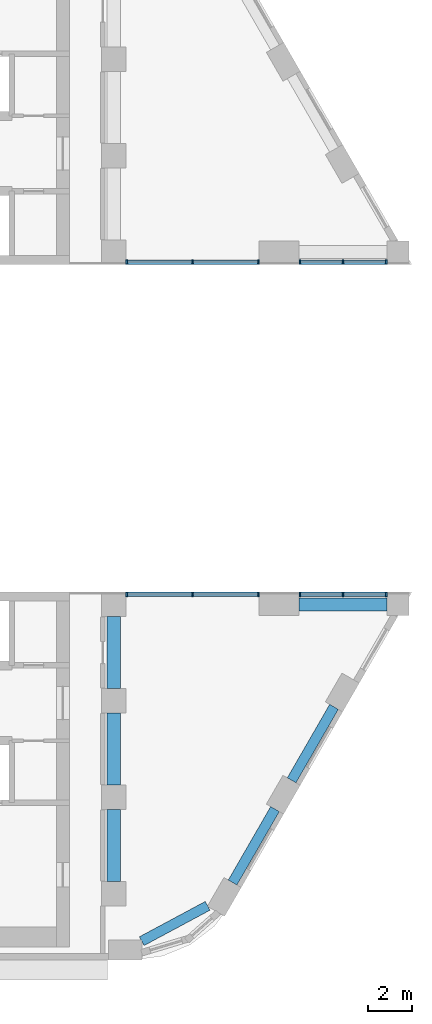
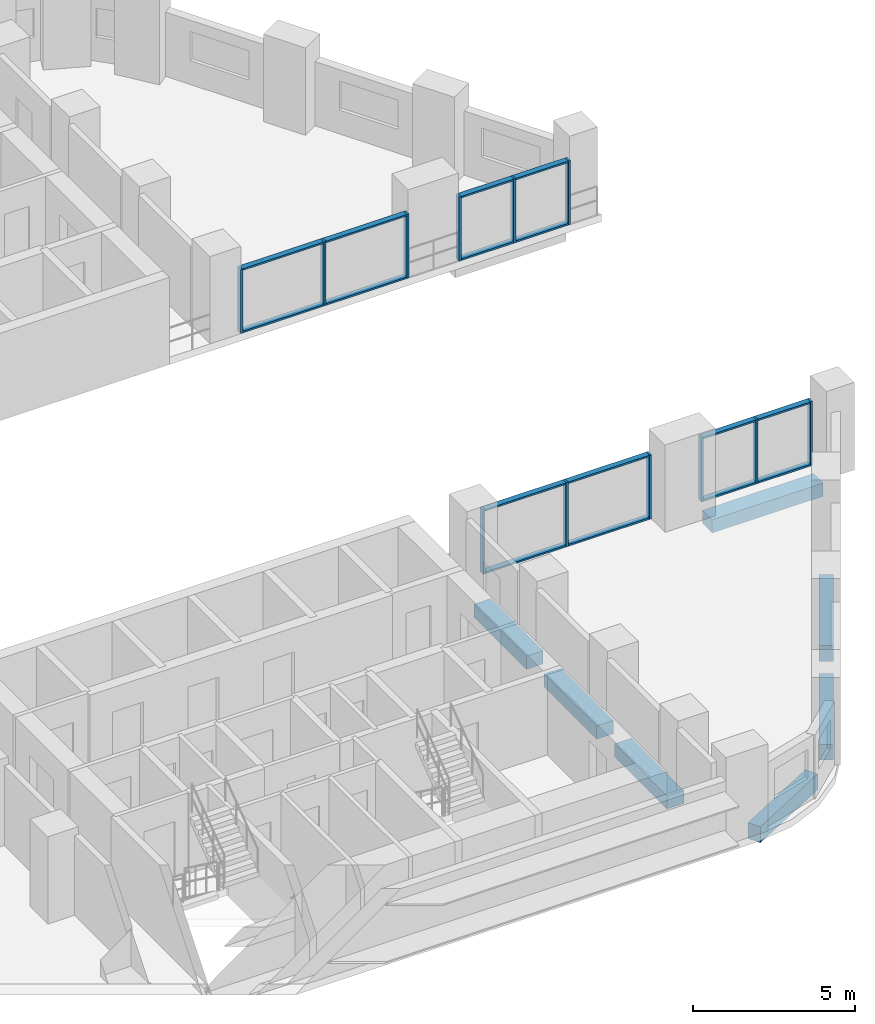
# One storey, part 3 of 11: 28 members, 7 beams, 4 elements without a shape of their own.
"""IFC4 building model written with IfcOpenShell, lengths in metres."""

from ifc_helpers import new_model, si_unit, direction, frame, origin, origin_2d, place, context, subcontext, project, spatial, rectangle, extrude, material, layer, layer_set, material_profile, profile_set, type_object, element, aggregate, save


model = new_model("IFC4")

# Units and contexts
model_context = context("Model", 3, precision=1e-05, world=origin(), true_north=direction((0.0, 1.0)))
body_context = subcontext(model_context, "Body", "Model", "MODEL_VIEW")
ifc_project = project(units=[si_unit("LENGTHUNIT", "METRE"), si_unit("AREAUNIT", "SQUARE_METRE"), si_unit("VOLUMEUNIT", "CUBIC_METRE"), si_unit("PLANEANGLEUNIT", "RADIAN"), si_unit("MASSUNIT", "GRAM", prefix="KILO")], contexts=[model_context])

# Site, building, storey
site_placement = place(None, origin())
site = spatial("IfcSite", under=ifc_project, at=site_placement, CompositionType="ELEMENT")
building_placement = place(site_placement, origin())
building = spatial("IfcBuilding", under=site, at=building_placement, Name="Nakaniwa Court", CompositionType="ELEMENT")
storey_placement = place(building_placement, frame((0.0, 0.0, 31.5)))
storey = spatial("IfcBuildingStorey", under=building, at=storey_placement, Name="L07", CompositionType="ELEMENT", Elevation=31.5)

# Beams
ifc_material_1 = material(Name="Concrete C100/115", Category="concrete")
ifc_material_profile_1 = material_profile(ifc_material_1, rectangle(XDim=0.449951171875, YDim=0.60009765625, at=origin_2d()), Name="Concrete C100/115 RC 450x600 spandrel beam")
ifc_profile_set_1 = profile_set([ifc_material_profile_1], Name="Concrete C100/115")
beam_type_1 = type_object("IfcBeamType", Name="Concrete C100/115 RC 450x600 spandrel beam", PredefinedType="BEAM", material=ifc_profile_set_1)
beam_1_placement = place(storey_placement, frame((91.257080078125, 56.852294921875, -0.574951171875), z_axis=(0.881234537383, 0.472679267711, 0.0), x_axis=(-0.472679267711, 0.881234537383, 0.0)))
element("IfcBeam", 1, at=beam_1_placement, inside=storey, type_object=beam_type_1, Name="SPANDREL BEAM", PredefinedType="BEAM", context=body_context, shape_type="SweptSolid", body=[
    extrude(rectangle(XDim=0.449951171875, YDim=0.60009765625, at=origin_2d()), origin(), (0.0, 0.0, 1.0), 3.373291015625),
])
beam_2_placement = place(storey_placement, frame((95.357421875, 59.5, -0.574951171875), z_axis=(0.500009674092, 0.866019818373, 0.0), x_axis=(-0.866019818373, 0.500009674092, 0.0)))
element("IfcBeam", 2, at=beam_2_placement, inside=storey, type_object=beam_type_1, Name="SPANDREL BEAM", PredefinedType="BEAM", context=body_context, shape_type="SweptSolid", body=[
    extrude(rectangle(XDim=0.449951171875, YDim=0.60009765625, at=origin_2d()), origin(), (0.0, 0.0, 1.0), 3.826171875),
])
beam_3_placement = place(storey_placement, frame((98.0205078125, 64.1123046875, -0.574951171875), z_axis=(0.499961815444, 0.866047448526, 0.0), x_axis=(-0.866047448526, 0.499961815444, 0.0)))
element("IfcBeam", 3, at=beam_3_placement, inside=storey, type_object=beam_type_1, Name="SPANDREL BEAM", PredefinedType="BEAM", context=body_context, shape_type="SweptSolid", body=[
    extrude(rectangle(XDim=0.449951171875, YDim=0.60009765625, at=origin_2d()), origin(), (0.0, 0.0, 1.0), 3.825927734375),
])
ifc_material_profile_2 = material_profile(ifc_material_1, rectangle(XDim=0.60009765625, YDim=0.5, at=origin_2d()), Name="Concrete C100/115 RC 600x500 ring beam")
ifc_profile_set_2 = profile_set([ifc_material_profile_2], Name="Concrete C100/115")
beam_type_2 = type_object("IfcBeamType", Name="Concrete C100/115 RC 600x500 ring beam", PredefinedType="BEAM", material=ifc_profile_set_2)
for number, where, z_axis, x_axis, name in (
    (4, (90.0, 59.550048828125, -0.52490234375), (0.0, 1.0, 0.0), (-1.0, 0.0, 0.0), "RING BEAM"),
    (5, (90.0, 63.89990234375, -0.52490234375), (0.0, 1.0, 0.0), (-1.0, 0.0, 0.0), "RING BEAM"),
    (6, (90.0, 68.25, -0.52490234375), (0.0, 1.0, 0.0), (-1.0, 0.0, 0.0), "RING BEAM"),
):
    element("IfcBeam", number, at=place(storey_placement, frame(where, z_axis=z_axis, x_axis=x_axis)), inside=storey, type_object=beam_type_2, Name=name, PredefinedType="BEAM", context=body_context, shape_type="SweptSolid", body=[
        extrude(rectangle(XDim=0.60009765625, YDim=0.5, at=origin_2d()), origin(), (0.0, 0.0, 1.0), 3.25),
    ])
beam_4_placement = place(storey_placement, frame((98.35791015625, 72.050048828125, -0.52490234375), z_axis=(1.0, 0.0, 0.0), x_axis=(0.0, 1.0, 0.0)))
element("IfcBeam", 7, at=beam_4_placement, inside=storey, type_object=beam_type_2, Name="RING BEAM", PredefinedType="BEAM", context=body_context, shape_type="SweptSolid", body=[
    extrude(rectangle(XDim=0.60009765625, YDim=0.5, at=origin_2d()), origin(), (0.0, 0.0, 1.0), 3.965087890625),
])

# Curtain wall, members
ifc_material_2 = material(Name="Black anodised aluminium frame with dark low-E laminated double glazing", Category="aluminium")
ifc_layer = layer(ifc_material_2, 0.199951171875)
ifc_layer_set = layer_set([ifc_layer], Name="Black anodised aluminium frame with dark low-E laminated double glazing")
curtain_wall_type = type_object("IfcCurtainWallType", Name="Portal side curtain wall", PredefinedType="NOTDEFINED", material=ifc_layer_set)
curtain_wall_1_placement = place(storey_placement, origin())
curtain_wall_1 = element("IfcCurtainWall", 8, at=curtain_wall_1_placement, inside=storey, type_object=curtain_wall_type, Name="L07 curtain wall CW5 02", PredefinedType="NOTDEFINED")
ifc_material_3 = material(Name="Black anodised aluminium extrusion", Category="aluminium")
ifc_material_profile_3 = material_profile(ifc_material_3, rectangle(XDim=0.199951171875, YDim=0.074951171875, at=origin_2d()), Name="Portal side curtain wall mullion 75x200")
ifc_profile_set_3 = profile_set([ifc_material_profile_3], Name="Black anodised aluminium extrusion")
member_type_1 = type_object("IfcMemberType", Name="Portal side curtain wall mullion 75x200", PredefinedType="MULLION", material=ifc_profile_set_3)
member_1_placement = place(storey_placement, frame((102.28955078125, 72.5, 0.0), z_axis=(0.0, 0.0, 1.0), x_axis=(0.0, -1.0, 0.0)))
member_1 = element("IfcMember", 9, at=member_1_placement, type_object=member_type_1, Name="CW5 mullion 1", PredefinedType="MULLION", context=body_context, shape_type="SweptSolid", body=[
    extrude(rectangle(XDim=0.199951171875, YDim=0.074951171875, at=origin_2d()), origin(), (0.0, 0.0, 1.0), 2.425048828125),
])
member_2_placement = place(storey_placement, frame((100.340576171875, 72.5, 0.0), z_axis=(0.0, 0.0, 1.0), x_axis=(0.0, -1.0, 0.0)))
member_2 = element("IfcMember", 10, at=member_2_placement, type_object=member_type_1, Name="CW5 mullion 2", PredefinedType="MULLION", context=body_context, shape_type="SweptSolid", body=[
    extrude(rectangle(XDim=0.199951171875, YDim=0.074951171875, at=origin_2d()), origin(), (0.0, 0.0, 1.0), 2.425048828125),
])
member_3_placement = place(storey_placement, frame((98.3916015625, 72.5, 0.0), z_axis=(0.0, 0.0, 1.0), x_axis=(0.0, -1.0, 0.0)))
member_3 = element("IfcMember", 11, at=member_3_placement, type_object=member_type_1, Name="CW5 mullion 3", PredefinedType="MULLION", context=body_context, shape_type="SweptSolid", body=[
    extrude(rectangle(XDim=0.199951171875, YDim=0.074951171875, at=origin_2d()), origin(), (0.0, 0.0, 1.0), 2.425048828125),
])

curtain_wall_2_placement = place(storey_placement, origin())
curtain_wall_2 = element("IfcCurtainWall", 12, at=curtain_wall_2_placement, inside=storey, type_object=curtain_wall_type, Name="L07 curtain wall CW5 03", PredefinedType="NOTDEFINED")
member_4_placement = place(storey_placement, frame((96.5244140625, 72.5, 0.0), z_axis=(0.0, 0.0, 1.0), x_axis=(0.0, -1.0, 0.0)))
member_4 = element("IfcMember", 13, at=member_4_placement, type_object=member_type_1, Name="CW5 mullion 1", PredefinedType="MULLION", context=body_context, shape_type="SweptSolid", body=[
    extrude(rectangle(XDim=0.199951171875, YDim=0.074951171875, at=origin_2d()), origin(), (0.0, 0.0, 1.0), 2.425048828125),
])
member_5_placement = place(storey_placement, frame((93.553955078125, 72.5, 0.0), z_axis=(0.0, 0.0, 1.0), x_axis=(0.0, -1.0, 0.0)))
member_5 = element("IfcMember", 14, at=member_5_placement, type_object=member_type_1, Name="CW5 mullion 2", PredefinedType="MULLION", context=body_context, shape_type="SweptSolid", body=[
    extrude(rectangle(XDim=0.199951171875, YDim=0.074951171875, at=origin_2d()), origin(), (0.0, 0.0, 1.0), 2.425048828125),
])
member_6_placement = place(storey_placement, frame((90.58349609375, 72.5, 0.0), z_axis=(0.0, 0.0, 1.0), x_axis=(0.0, -1.0, 0.0)))
member_6 = element("IfcMember", 15, at=member_6_placement, type_object=member_type_1, Name="CW5 mullion 3", PredefinedType="MULLION", context=body_context, shape_type="SweptSolid", body=[
    extrude(rectangle(XDim=0.199951171875, YDim=0.074951171875, at=origin_2d()), origin(), (0.0, 0.0, 1.0), 2.425048828125),
])

curtain_wall_3_placement = place(storey_placement, origin())
curtain_wall_3 = element("IfcCurtainWall", 16, at=curtain_wall_3_placement, inside=storey, type_object=curtain_wall_type, Name="L07 curtain wall CW5 19", PredefinedType="NOTDEFINED")
member_7_placement = place(storey_placement, frame((90.58349609375, 87.5, 0.0), z_axis=(0.0, 0.0, 1.0), x_axis=(0.0, 1.0, 0.0)))
member_7 = element("IfcMember", 17, at=member_7_placement, type_object=member_type_1, Name="CW5 mullion 1", PredefinedType="MULLION", context=body_context, shape_type="SweptSolid", body=[
    extrude(rectangle(XDim=0.199951171875, YDim=0.074951171875, at=origin_2d()), origin(), (0.0, 0.0, 1.0), 2.425048828125),
])
member_8_placement = place(storey_placement, frame((93.553955078125, 87.5, 0.0), z_axis=(0.0, 0.0, 1.0), x_axis=(0.0, 1.0, 0.0)))
member_8 = element("IfcMember", 18, at=member_8_placement, type_object=member_type_1, Name="CW5 mullion 2", PredefinedType="MULLION", context=body_context, shape_type="SweptSolid", body=[
    extrude(rectangle(XDim=0.199951171875, YDim=0.074951171875, at=origin_2d()), origin(), (0.0, 0.0, 1.0), 2.425048828125),
])
member_9_placement = place(storey_placement, frame((96.5244140625, 87.5, 0.0), z_axis=(0.0, 0.0, 1.0), x_axis=(0.0, 1.0, 0.0)))
member_9 = element("IfcMember", 19, at=member_9_placement, type_object=member_type_1, Name="CW5 mullion 3", PredefinedType="MULLION", context=body_context, shape_type="SweptSolid", body=[
    extrude(rectangle(XDim=0.199951171875, YDim=0.074951171875, at=origin_2d()), origin(), (0.0, 0.0, 1.0), 2.425048828125),
])

curtain_wall_4_placement = place(storey_placement, origin())
curtain_wall_4 = element("IfcCurtainWall", 20, at=curtain_wall_4_placement, inside=storey, type_object=curtain_wall_type, Name="L07 curtain wall CW5 20", PredefinedType="NOTDEFINED")
member_10_placement = place(storey_placement, frame((98.3916015625, 87.5, 0.0), z_axis=(0.0, 0.0, 1.0), x_axis=(0.0, 1.0, 0.0)))
member_10 = element("IfcMember", 21, at=member_10_placement, type_object=member_type_1, Name="CW5 mullion 1", PredefinedType="MULLION", context=body_context, shape_type="SweptSolid", body=[
    extrude(rectangle(XDim=0.199951171875, YDim=0.074951171875, at=origin_2d()), origin(), (0.0, 0.0, 1.0), 2.425048828125),
])
member_11_placement = place(storey_placement, frame((100.340576171875, 87.5, 0.0), z_axis=(0.0, 0.0, 1.0), x_axis=(0.0, 1.0, 0.0)))
member_11 = element("IfcMember", 22, at=member_11_placement, type_object=member_type_1, Name="CW5 mullion 2", PredefinedType="MULLION", context=body_context, shape_type="SweptSolid", body=[
    extrude(rectangle(XDim=0.199951171875, YDim=0.074951171875, at=origin_2d()), origin(), (0.0, 0.0, 1.0), 2.425048828125),
])
member_12_placement = place(storey_placement, frame((102.28955078125, 87.5, 0.0), z_axis=(0.0, 0.0, 1.0), x_axis=(0.0, 1.0, 0.0)))
member_12 = element("IfcMember", 23, at=member_12_placement, type_object=member_type_1, Name="CW5 mullion 3", PredefinedType="MULLION", context=body_context, shape_type="SweptSolid", body=[
    extrude(rectangle(XDim=0.199951171875, YDim=0.074951171875, at=origin_2d()), origin(), (0.0, 0.0, 1.0), 2.425048828125),
])

# Member
ifc_material_profile_4 = material_profile(ifc_material_3, rectangle(XDim=0.199951171875, YDim=0.06494140625, at=origin_2d()), Name="Portal side curtain wall transom 65x200")
ifc_profile_set_4 = profile_set([ifc_material_profile_4], Name="Black anodised aluminium extrusion")
member_type_2 = type_object("IfcMemberType", Name="Portal side curtain wall transom 65x200", PredefinedType="USERDEFINED", material=ifc_profile_set_4)
member_13_placement = place(storey_placement, frame((102.251953125, 72.5, 0.032470703125), z_axis=(-1.0, 0.0, 0.0), x_axis=(0.0, -1.0, 0.0)))
member_13 = element("IfcMember", 24, at=member_13_placement, type_object=member_type_2, Name="CW5 transom 1.1", ObjectType="TRANSOM", PredefinedType="USERDEFINED", context=body_context, shape_type="SweptSolid", body=[
    extrude(rectangle(XDim=0.199951171875, YDim=0.06494140625, at=origin_2d()), origin(), (0.0, 0.0, 1.0), 1.8740234375),
])

member_14_placement = place(storey_placement, frame((102.251953125, 72.5, 2.392578125), z_axis=(-1.0, 0.0, 0.0), x_axis=(0.0, -1.0, 0.0)))
member_14 = element("IfcMember", 25, at=member_14_placement, type_object=member_type_2, Name="CW5 transom 1.2", ObjectType="TRANSOM", PredefinedType="USERDEFINED", context=body_context, shape_type="SweptSolid", body=[
    extrude(rectangle(XDim=0.199951171875, YDim=0.06494140625, at=origin_2d()), origin(), (0.0, 0.0, 1.0), 1.8740234375),
])

member_15_placement = place(storey_placement, frame((100.302978515625, 72.5, 0.032470703125), z_axis=(-1.0, 0.0, 0.0), x_axis=(0.0, -1.0, 0.0)))
member_15 = element("IfcMember", 26, at=member_15_placement, type_object=member_type_2, Name="CW5 transom 2.1", ObjectType="TRANSOM", PredefinedType="USERDEFINED", context=body_context, shape_type="SweptSolid", body=[
    extrude(rectangle(XDim=0.199951171875, YDim=0.06494140625, at=origin_2d()), origin(), (0.0, 0.0, 1.0), 1.8740234375),
])

member_16_placement = place(storey_placement, frame((100.302978515625, 72.5, 2.392578125), z_axis=(-1.0, 0.0, 0.0), x_axis=(0.0, -1.0, 0.0)))
member_16 = element("IfcMember", 27, at=member_16_placement, type_object=member_type_2, Name="CW5 transom 2.2", ObjectType="TRANSOM", PredefinedType="USERDEFINED", context=body_context, shape_type="SweptSolid", body=[
    extrude(rectangle(XDim=0.199951171875, YDim=0.06494140625, at=origin_2d()), origin(), (0.0, 0.0, 1.0), 1.8740234375),
])

aggregate(curtain_wall_1, [member_1, member_2, member_3, member_13, member_14, member_15, member_16])

member_17_placement = place(storey_placement, frame((96.487060546875, 72.5, 0.032470703125), z_axis=(-1.0, 0.0, 0.0), x_axis=(0.0, -1.0, 0.0)))
member_17 = element("IfcMember", 28, at=member_17_placement, type_object=member_type_2, Name="CW5 transom 1.1", ObjectType="TRANSOM", PredefinedType="USERDEFINED", context=body_context, shape_type="SweptSolid", body=[
    extrude(rectangle(XDim=0.199951171875, YDim=0.06494140625, at=origin_2d()), origin(), (0.0, 0.0, 1.0), 2.8955078125),
])

member_18_placement = place(storey_placement, frame((96.487060546875, 72.5, 2.392578125), z_axis=(-1.0, 0.0, 0.0), x_axis=(0.0, -1.0, 0.0)))
member_18 = element("IfcMember", 29, at=member_18_placement, type_object=member_type_2, Name="CW5 transom 1.2", ObjectType="TRANSOM", PredefinedType="USERDEFINED", context=body_context, shape_type="SweptSolid", body=[
    extrude(rectangle(XDim=0.199951171875, YDim=0.06494140625, at=origin_2d()), origin(), (0.0, 0.0, 1.0), 2.8955078125),
])

member_19_placement = place(storey_placement, frame((93.5166015625, 72.5, 0.032470703125), z_axis=(-1.0, 0.0, 0.0), x_axis=(0.0, -1.0, 0.0)))
member_19 = element("IfcMember", 30, at=member_19_placement, type_object=member_type_2, Name="CW5 transom 2.1", ObjectType="TRANSOM", PredefinedType="USERDEFINED", context=body_context, shape_type="SweptSolid", body=[
    extrude(rectangle(XDim=0.199951171875, YDim=0.06494140625, at=origin_2d()), origin(), (0.0, 0.0, 1.0), 2.8955078125),
])

member_20_placement = place(storey_placement, frame((93.5166015625, 72.5, 2.392578125), z_axis=(-1.0, 0.0, 0.0), x_axis=(0.0, -1.0, 0.0)))
member_20 = element("IfcMember", 31, at=member_20_placement, type_object=member_type_2, Name="CW5 transom 2.2", ObjectType="TRANSOM", PredefinedType="USERDEFINED", context=body_context, shape_type="SweptSolid", body=[
    extrude(rectangle(XDim=0.199951171875, YDim=0.06494140625, at=origin_2d()), origin(), (0.0, 0.0, 1.0), 2.8955078125),
])

aggregate(curtain_wall_2, [member_4, member_5, member_6, member_17, member_18, member_19, member_20])

member_21_placement = place(storey_placement, frame((90.62109375, 87.5, 0.032470703125), z_axis=(1.0, 0.0, 0.0), x_axis=(0.0, 1.0, 0.0)))
member_21 = element("IfcMember", 32, at=member_21_placement, type_object=member_type_2, Name="CW5 transom 1.1", ObjectType="TRANSOM", PredefinedType="USERDEFINED", context=body_context, shape_type="SweptSolid", body=[
    extrude(rectangle(XDim=0.199951171875, YDim=0.06494140625, at=origin_2d()), origin(), (0.0, 0.0, 1.0), 2.8955078125),
])

member_22_placement = place(storey_placement, frame((90.62109375, 87.5, 2.392578125), z_axis=(1.0, 0.0, 0.0), x_axis=(0.0, 1.0, 0.0)))
member_22 = element("IfcMember", 33, at=member_22_placement, type_object=member_type_2, Name="CW5 transom 1.2", ObjectType="TRANSOM", PredefinedType="USERDEFINED", context=body_context, shape_type="SweptSolid", body=[
    extrude(rectangle(XDim=0.199951171875, YDim=0.06494140625, at=origin_2d()), origin(), (0.0, 0.0, 1.0), 2.8955078125),
])

member_23_placement = place(storey_placement, frame((93.591552734375, 87.5, 0.032470703125), z_axis=(1.0, 0.0, 0.0), x_axis=(0.0, 1.0, 0.0)))
member_23 = element("IfcMember", 34, at=member_23_placement, type_object=member_type_2, Name="CW5 transom 2.1", ObjectType="TRANSOM", PredefinedType="USERDEFINED", context=body_context, shape_type="SweptSolid", body=[
    extrude(rectangle(XDim=0.199951171875, YDim=0.06494140625, at=origin_2d()), origin(), (0.0, 0.0, 1.0), 2.8955078125),
])

member_24_placement = place(storey_placement, frame((93.591552734375, 87.5, 2.392578125), z_axis=(1.0, 0.0, 0.0), x_axis=(0.0, 1.0, 0.0)))
member_24 = element("IfcMember", 35, at=member_24_placement, type_object=member_type_2, Name="CW5 transom 2.2", ObjectType="TRANSOM", PredefinedType="USERDEFINED", context=body_context, shape_type="SweptSolid", body=[
    extrude(rectangle(XDim=0.199951171875, YDim=0.06494140625, at=origin_2d()), origin(), (0.0, 0.0, 1.0), 2.8955078125),
])

aggregate(curtain_wall_3, [member_7, member_8, member_9, member_21, member_22, member_23, member_24])

member_25_placement = place(storey_placement, frame((98.428955078125, 87.5, 0.032470703125), z_axis=(1.0, 0.0, 0.0), x_axis=(0.0, 1.0, 0.0)))
member_25 = element("IfcMember", 36, at=member_25_placement, type_object=member_type_2, Name="CW5 transom 1.1", ObjectType="TRANSOM", PredefinedType="USERDEFINED", context=body_context, shape_type="SweptSolid", body=[
    extrude(rectangle(XDim=0.199951171875, YDim=0.06494140625, at=origin_2d()), origin(), (0.0, 0.0, 1.0), 1.8740234375),
])

member_26_placement = place(storey_placement, frame((98.428955078125, 87.5, 2.392578125), z_axis=(1.0, 0.0, 0.0), x_axis=(0.0, 1.0, 0.0)))
member_26 = element("IfcMember", 37, at=member_26_placement, type_object=member_type_2, Name="CW5 transom 1.2", ObjectType="TRANSOM", PredefinedType="USERDEFINED", context=body_context, shape_type="SweptSolid", body=[
    extrude(rectangle(XDim=0.199951171875, YDim=0.06494140625, at=origin_2d()), origin(), (0.0, 0.0, 1.0), 1.8740234375),
])

member_27_placement = place(storey_placement, frame((100.3779296875, 87.5, 0.032470703125), z_axis=(1.0, 0.0, 0.0), x_axis=(0.0, 1.0, 0.0)))
member_27 = element("IfcMember", 38, at=member_27_placement, type_object=member_type_2, Name="CW5 transom 2.1", ObjectType="TRANSOM", PredefinedType="USERDEFINED", context=body_context, shape_type="SweptSolid", body=[
    extrude(rectangle(XDim=0.199951171875, YDim=0.06494140625, at=origin_2d()), origin(), (0.0, 0.0, 1.0), 1.8740234375),
])

member_28_placement = place(storey_placement, frame((100.3779296875, 87.5, 2.392578125), z_axis=(1.0, 0.0, 0.0), x_axis=(0.0, 1.0, 0.0)))
member_28 = element("IfcMember", 39, at=member_28_placement, type_object=member_type_2, Name="CW5 transom 2.2", ObjectType="TRANSOM", PredefinedType="USERDEFINED", context=body_context, shape_type="SweptSolid", body=[
    extrude(rectangle(XDim=0.199951171875, YDim=0.06494140625, at=origin_2d()), origin(), (0.0, 0.0, 1.0), 1.8740234375),
])

aggregate(curtain_wall_4, [member_10, member_11, member_12, member_25, member_26, member_27, member_28])

save(model, "model.ifc")
